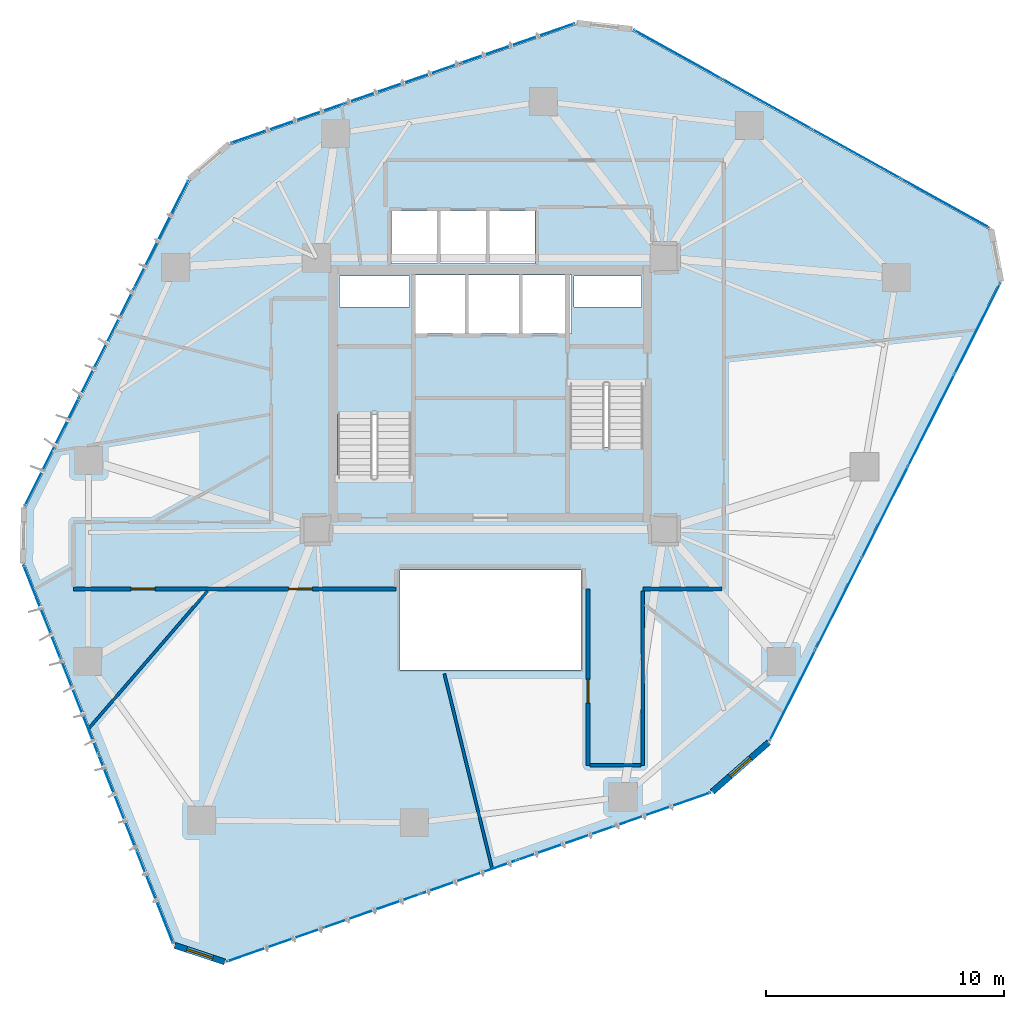
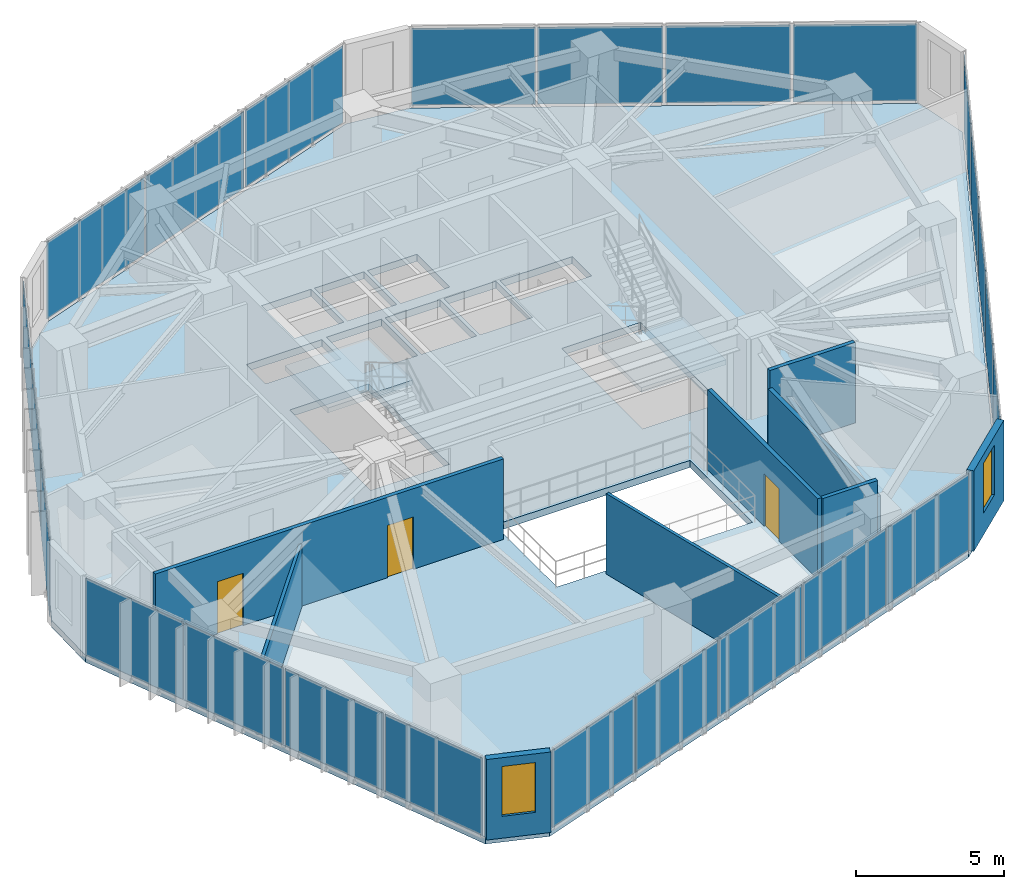
# One storey, part 15 of 21: 24 plates, 9 walls, 3 doors, 3 slabs, 2 windows, 5 openings, 8 elements without a shape of their own.
"""IFC4 building model written with IfcOpenShell, lengths in metres."""

from ifc_helpers import new_model, si_unit, direction, frame, frame_2d, origin, origin_2d, place, context, subcontext, project, spatial, polyline, rectangle, outline, extrude, source, transform, mapped, material, layer, layer_set, type_object, type_shapes, element, fill, aggregate, save


model = new_model("IFC4")

# Units and contexts
model_context = context("Model", 3, precision=1e-05, world=origin(), true_north=direction((0.0, 1.0)))
body_context = subcontext(model_context, "Body", "Model", "MODEL_VIEW")
ifc_project = project(units=[si_unit("LENGTHUNIT", "METRE"), si_unit("AREAUNIT", "SQUARE_METRE"), si_unit("VOLUMEUNIT", "CUBIC_METRE"), si_unit("PLANEANGLEUNIT", "RADIAN"), si_unit("MASSUNIT", "GRAM", prefix="KILO")], contexts=[model_context])

# Site, building, storey
site_placement = place(None, origin())
site = spatial("IfcSite", under=ifc_project, at=site_placement, CompositionType="ELEMENT")
building_placement = place(site_placement, origin())
building = spatial("IfcBuilding", under=site, at=building_placement, Name="Talar Marvaseh", CompositionType="ELEMENT")
storey_placement = place(building_placement, frame((0.0, 0.0, 147.0)))
storey = spatial("IfcBuildingStorey", under=building, at=storey_placement, Name="L38", CompositionType="ELEMENT", Elevation=147.0)

# Stair, slab
ifc_material_1 = material(Name="Concrete C40/50", Category="concrete")
stair_type = type_object("IfcStairType", Name="Reinforced Concrete Half-Turn Exit Stair Type B", PredefinedType="HALF_TURN_STAIR", material=ifc_material_1)
stair_1_placement = place(storey_placement, origin())
stair_1 = element("IfcStair", 1, at=stair_1_placement, inside=storey, type_object=stair_type, Name="L38 Tower West Core Exit Stair", PredefinedType="HALF_TURN_STAIR")
ifc_layer_1 = layer(ifc_material_1, 0.199951171875)
ifc_layer_set_1 = layer_set([ifc_layer_1], Name="Concrete C40/50")
slab_type_1 = type_object("IfcSlabType", Name="Reinforced Concrete Stair Half-Landing Slab 200", PredefinedType="LANDING", material=ifc_layer_set_1)
slab_1_placement = place(storey_placement, frame((0.0, 0.0, 1.60009765625)))
slab_1 = element("IfcSlab", 2, at=slab_1_placement, type_object=slab_type_1, Name="ST-1 landing 1", PredefinedType="LANDING", context=body_context, shape_type="SweptSolid", body=[
    extrude(outline(polyline([(22.780029296875, 30.330078125), (22.780029296875, 33.219970703125), (19.47998046875, 33.219970703125), (19.47998046875, 30.330078125), (22.780029296875, 30.330078125)])), origin(), (0.0, 0.0, 1.0), 0.199951171875),
])
aggregate(stair_1, [slab_1])

stair_2_placement = place(storey_placement, origin())
stair_2 = element("IfcStair", 3, at=stair_2_placement, inside=storey, type_object=stair_type, Name="L38 Tower East Core Exit Stair", PredefinedType="HALF_TURN_STAIR")
slab_2_placement = place(storey_placement, frame((0.0, 0.0, 1.60009765625)))
slab_2 = element("IfcSlab", 4, at=slab_2_placement, type_object=slab_type_1, Name="ST-2 landing 1", PredefinedType="LANDING", context=body_context, shape_type="SweptSolid", body=[
    extrude(outline(polyline([(29.219970703125, 28.969970703125), (29.219970703125, 26.080078125), (32.52001953125, 26.080078125), (32.52001953125, 28.969970703125), (29.219970703125, 28.969970703125)])), origin(), (0.0, 0.0, 1.0), 0.199951171875),
])
aggregate(stair_2, [slab_2])

# Slab
ifc_layer_2 = layer(ifc_material_1, 0.2900390625)
ifc_layer_set_2 = layer_set([ifc_layer_2], Name="Concrete C40/50")
slab_type_2 = type_object("IfcSlabType", Name="Structural Suspended Floor Slab 290", PredefinedType="FLOOR", material=ifc_layer_set_2)
slab_3_placement = place(storey_placement, frame((0.0, 0.0, -0.2900390625)))
element("IfcSlab", 5, at=slab_3_placement, inside=storey, type_object=slab_type_2, Name="L38 Tower Floor Slab", PredefinedType="FLOOR", context=body_context, shape_type="SweptSolid", body=[
    extrude(outline(polyline([(14.8701171875, 7.3974609375), (12.76611328125, 8.09423828125), (6.4384765625, 24.0791015625), (6.484375, 26.419189453125), (13.39501953125, 40.170654296875), (15.0830078125, 41.65087890625), (29.61865234375, 46.70751953125), (31.945068359375, 46.44775390625), (46.967041015625, 38.087890625), (47.38330078125, 35.91064453125), (37.650390625, 16.60791015625), (35.278076171875, 14.527587890625), (14.8701171875, 7.3974609375)]), holes=[polyline([(22.659912109375, 27.64990234375), (22.659912109375, 33.10009765625), (19.60009765625, 33.10009765625), (19.60009765625, 27.64990234375), (22.659912109375, 27.64990234375)]), polyline([(29.340087890625, 31.64990234375), (29.340087890625, 26.199951171875), (32.39990234375, 26.199951171875), (32.39990234375, 31.64990234375), (29.340087890625, 31.64990234375)]), polyline([(22.800048828125, 33.719970703125), (24.93994140625, 33.719970703125), (24.93994140625, 36.179931640625), (22.800048828125, 36.179931640625), (22.800048828125, 33.719970703125)]), polyline([(25.080078125, 33.719970703125), (27.219970703125, 33.719970703125), (27.219970703125, 36.179931640625), (25.080078125, 36.179931640625), (25.080078125, 33.719970703125)]), polyline([(27.360107421875, 33.719970703125), (29.39990234375, 33.719970703125), (29.39990234375, 36.179931640625), (27.360107421875, 36.179931640625), (27.360107421875, 33.719970703125)]), polyline([(21.840087890625, 36.659912109375), (23.760009765625, 36.659912109375), (23.760009765625, 38.8798828125), (21.840087890625, 38.8798828125), (21.840087890625, 36.659912109375)]), polyline([(23.89990234375, 36.659912109375), (25.820068359375, 36.659912109375), (25.820068359375, 38.8798828125), (23.89990234375, 38.8798828125), (23.89990234375, 36.659912109375)]), polyline([(25.9599609375, 36.659912109375), (27.8798828125, 36.659912109375), (27.8798828125, 38.8798828125), (25.9599609375, 38.8798828125), (25.9599609375, 36.659912109375)]), polyline([(19.659912109375, 34.840087890625), (22.60009765625, 34.840087890625), (22.60009765625, 36.139892578125), (19.659912109375, 36.139892578125), (19.659912109375, 34.840087890625)]), polyline([(29.52001953125, 34.840087890625), (32.340087890625, 34.840087890625), (32.340087890625, 36.139892578125), (29.52001953125, 36.139892578125), (29.52001953125, 34.840087890625)]), polyline([(22.199951171875, 19.60009765625), (29.800048828125, 19.60009765625), (29.800048828125, 23.800048828125), (22.199951171875, 23.800048828125), (22.199951171875, 19.60009765625)])]), origin(), (0.0, 0.0, 1.0), 0.2900390625),
])

# Curtain wall, plates
ifc_material_2 = material(Name="Architectural Aluminium", Category="aluminium")
ifc_layer_3 = layer(ifc_material_2, 0.199951171875)
ifc_layer_set_3 = layer_set([ifc_layer_3], Name="Architectural Aluminium")
curtain_wall_type = type_object("IfcCurtainWallType", Name="Unitised Acoustic Library Curtain Wall Z2", PredefinedType="NOTDEFINED", material=ifc_layer_set_3)
curtain_wall_1_placement = place(storey_placement, origin())
curtain_wall_1 = element("IfcCurtainWall", 6, at=curtain_wall_1_placement, inside=storey, type_object=curtain_wall_type, Name="L38 Unitised Acoustic Library Curtain Wall Z2", PredefinedType="NOTDEFINED")
ifc_material_3 = material(Name="Laminated Low-E Solar Glass", Category="glass")
ifc_layer_4 = layer(ifc_material_3, 0.028076171875)
ifc_layer_set_4 = layer_set([ifc_layer_4], Name="Laminated Low-E Solar Glass")
plate_type = type_object("IfcPlateType", Name="Double-Glazed Low-E Vision Curtain Panel 28", PredefinedType="CURTAIN_PANEL", material=ifc_layer_set_4)
shared_shape_1 = source(origin(), body_context, "Body", "SweptSolid", [
    extrude(rectangle(XDim=4.185302734375, YDim=0.028076171875, at=origin_2d()), origin(), (0.0, 0.0, 1.0), 3.159912109375),
])
plate_1_placement = place(storey_placement, frame((11.912353515625, 10.087646484375, 0.0751953125), z_axis=(0.0, 0.0, 1.0), x_axis=(-0.368059661202, 0.929802175625, 0.0)))
plate_1 = element("IfcPlate", 7, at=plate_1_placement, type_object=plate_type, Name="CW-Z2 panel 1.1", PredefinedType="CURTAIN_PANEL", context=body_context, shape_type="MappedRepresentation", body=[
    mapped(shared_shape_1, transform((0.0, 0.0, 0.0), x_axis=(1.0, 0.0, 0.0), y_axis=(0.0, 1.0, 0.0), z_axis=(0.0, 0.0, 1.0), scale=1.0)),
])
plate_2_placement = place(storey_placement, frame((7.180419921875, 22.041259765625, 0.0751953125), z_axis=(0.0, 0.0, 1.0), x_axis=(-0.368059661202, 0.929802175625, 0.0)))
plate_2 = element("IfcPlate", 8, at=plate_2_placement, type_object=plate_type, Name="CW-Z2 panel 4.1", PredefinedType="CURTAIN_PANEL", context=body_context, shape_type="MappedRepresentation", body=[
    mapped(shared_shape_1, transform((0.0, 0.0, 0.0), x_axis=(1.0, 0.0, 0.0), y_axis=(0.0, 1.0, 0.0), z_axis=(0.0, 0.0, 1.0), scale=1.0)),
])

curtain_wall_2_placement = place(storey_placement, origin())
curtain_wall_2 = element("IfcCurtainWall", 9, at=curtain_wall_2_placement, inside=storey, type_object=curtain_wall_type, Name="L38 Unitised Acoustic Library Curtain Wall Z2", PredefinedType="NOTDEFINED")
plate_3_placement = place(storey_placement, frame((33.868408203125, 45.446044921875, 0.0751953125), z_axis=(0.0, 0.0, 1.0), x_axis=(0.873804196641, -0.486277930747, 0.0)))
plate_3 = element("IfcPlate", 10, at=plate_3_placement, type_object=plate_type, Name="CW-Z2 panel 1.1", PredefinedType="CURTAIN_PANEL", context=body_context, shape_type="MappedRepresentation", body=[
    mapped(shared_shape_1, transform((0.0, 0.0, 0.0), x_axis=(1.0, 0.0, 0.0), y_axis=(0.0, 1.0, 0.0), z_axis=(0.0, 0.0, 1.0), scale=1.0)),
])
plate_4_placement = place(storey_placement, frame((45.10205078125, 39.1943359375, 0.0751953125), z_axis=(0.0, 0.0, 1.0), x_axis=(0.873804196641, -0.486277930747, 0.0)))
plate_4 = element("IfcPlate", 11, at=plate_4_placement, type_object=plate_type, Name="CW-Z2 panel 4.1", PredefinedType="CURTAIN_PANEL", context=body_context, shape_type="MappedRepresentation", body=[
    mapped(shared_shape_1, transform((0.0, 0.0, 0.0), x_axis=(1.0, 0.0, 0.0), y_axis=(0.0, 1.0, 0.0), z_axis=(0.0, 0.0, 1.0), scale=1.0)),
])

# Plate
shared_shape_2 = source(origin(), body_context, "Body", "SweptSolid", [
    extrude(rectangle(XDim=4.222900390625, YDim=0.028076171875, at=origin_2d()), origin(), (0.0, 0.0, 1.0), 3.159912109375),
])
plate_5_placement = place(storey_placement, frame((10.33740234375, 14.06640625, 0.0751953125), z_axis=(0.0, 0.0, 1.0), x_axis=(-0.368059661202, 0.929802175625, 0.0)))
plate_5 = element("IfcPlate", 12, at=plate_5_placement, type_object=plate_type, Name="CW-Z2 panel 2.1", PredefinedType="CURTAIN_PANEL", context=body_context, shape_type="MappedRepresentation", body=[
    mapped(shared_shape_2, transform((0.0, 0.0, 0.0), x_axis=(1.0, 0.0, 0.0), y_axis=(0.0, 1.0, 0.0), z_axis=(0.0, 0.0, 1.0), scale=1.0)),
])

plate_6_placement = place(storey_placement, frame((8.755615234375, 18.062744140625, 0.0751953125), z_axis=(0.0, 0.0, 1.0), x_axis=(-0.368059661202, 0.929802175625, 0.0)))
plate_6 = element("IfcPlate", 13, at=plate_6_placement, type_object=plate_type, Name="CW-Z2 panel 3.1", PredefinedType="CURTAIN_PANEL", context=body_context, shape_type="MappedRepresentation", body=[
    mapped(shared_shape_2, transform((0.0, 0.0, 0.0), x_axis=(1.0, 0.0, 0.0), y_axis=(0.0, 1.0, 0.0), z_axis=(0.0, 0.0, 1.0), scale=1.0)),
])

aggregate(curtain_wall_1, [plate_1, plate_5, plate_6, plate_2])

plate_7_placement = place(storey_placement, frame((37.607421875, 43.365234375, 0.0751953125), z_axis=(0.0, 0.0, 1.0), x_axis=(0.873804196641, -0.486277930747, 0.0)))
plate_7 = element("IfcPlate", 14, at=plate_7_placement, type_object=plate_type, Name="CW-Z2 panel 2.1", PredefinedType="CURTAIN_PANEL", context=body_context, shape_type="MappedRepresentation", body=[
    mapped(shared_shape_2, transform((0.0, 0.0, 0.0), x_axis=(1.0, 0.0, 0.0), y_axis=(0.0, 1.0, 0.0), z_axis=(0.0, 0.0, 1.0), scale=1.0)),
])

plate_8_placement = place(storey_placement, frame((41.363037109375, 41.275146484375, 0.0751953125), z_axis=(0.0, 0.0, 1.0), x_axis=(0.873804196641, -0.486277930747, 0.0)))
plate_8 = element("IfcPlate", 15, at=plate_8_placement, type_object=plate_type, Name="CW-Z2 panel 3.1", PredefinedType="CURTAIN_PANEL", context=body_context, shape_type="MappedRepresentation", body=[
    mapped(shared_shape_2, transform((0.0, 0.0, 0.0), x_axis=(1.0, 0.0, 0.0), y_axis=(0.0, 1.0, 0.0), z_axis=(0.0, 0.0, 1.0), scale=1.0)),
])

aggregate(curtain_wall_2, [plate_3, plate_7, plate_8, plate_4])

# Curtain wall, plates
curtain_wall_3_placement = place(storey_placement, origin())
curtain_wall_3 = element("IfcCurtainWall", 16, at=curtain_wall_3_placement, inside=storey, type_object=curtain_wall_type, Name="L38 Unitised Acoustic Library Curtain Wall Z2", PredefinedType="NOTDEFINED")
shared_shape_3 = source(origin(), body_context, "Body", "SweptSolid", [
    extrude(rectangle(XDim=5.017578125, YDim=0.028076171875, at=origin_2d()), origin(), (0.0, 0.0, 1.0), 3.159912109375),
])
plate_9_placement = place(storey_placement, frame((7.591064453125, 28.7548828125, 0.0751953125), z_axis=(0.0, 0.0, 1.0), x_axis=(0.449034614883, 0.893514361741, 0.0)))
plate_9 = element("IfcPlate", 17, at=plate_9_placement, type_object=plate_type, Name="CW-Z2 panel 1.1", PredefinedType="CURTAIN_PANEL", context=body_context, shape_type="MappedRepresentation", body=[
    mapped(shared_shape_3, transform((0.0, 0.0, 0.0), x_axis=(1.0, 0.0, 0.0), y_axis=(0.0, 1.0, 0.0), z_axis=(0.0, 0.0, 1.0), scale=1.0)),
])
plate_10_placement = place(storey_placement, frame((12.181396484375, 37.888916015625, 0.0751953125), z_axis=(0.0, 0.0, 1.0), x_axis=(0.449034614883, 0.893514361741, 0.0)))
plate_10 = element("IfcPlate", 18, at=plate_10_placement, type_object=plate_type, Name="CW-Z2 panel 3.1", PredefinedType="CURTAIN_PANEL", context=body_context, shape_type="MappedRepresentation", body=[
    mapped(shared_shape_3, transform((0.0, 0.0, 0.0), x_axis=(1.0, 0.0, 0.0), y_axis=(0.0, 1.0, 0.0), z_axis=(0.0, 0.0, 1.0), scale=1.0)),
])

curtain_wall_4_placement = place(storey_placement, origin())
curtain_wall_4 = element("IfcCurtainWall", 19, at=curtain_wall_4_placement, inside=storey, type_object=curtain_wall_type, Name="L38 Unitised Acoustic Library Curtain Wall Z2", PredefinedType="NOTDEFINED")
plate_11_placement = place(storey_placement, frame((17.503662109375, 42.556640625, 0.0751953125), z_axis=(0.0, 0.0, 1.0), x_axis=(0.944479877326, 0.328569264121, 0.0)))
plate_11 = element("IfcPlate", 20, at=plate_11_placement, type_object=plate_type, Name="CW-Z2 panel 1.1", PredefinedType="CURTAIN_PANEL", context=body_context, shape_type="MappedRepresentation", body=[
    mapped(shared_shape_3, transform((0.0, 0.0, 0.0), x_axis=(1.0, 0.0, 0.0), y_axis=(0.0, 1.0, 0.0), z_axis=(0.0, 0.0, 1.0), scale=1.0)),
])
plate_12_placement = place(storey_placement, frame((27.15869140625, 45.915283203125, 0.0751953125), z_axis=(0.0, 0.0, 1.0), x_axis=(0.944479877326, 0.328569264121, 0.0)))
plate_12 = element("IfcPlate", 21, at=plate_12_placement, type_object=plate_type, Name="CW-Z2 panel 3.1", PredefinedType="CURTAIN_PANEL", context=body_context, shape_type="MappedRepresentation", body=[
    mapped(shared_shape_3, transform((0.0, 0.0, 0.0), x_axis=(1.0, 0.0, 0.0), y_axis=(0.0, 1.0, 0.0), z_axis=(0.0, 0.0, 1.0), scale=1.0)),
])

# Plate
shared_shape_4 = source(origin(), body_context, "Body", "SweptSolid", [
    extrude(rectangle(XDim=5.054931640625, YDim=0.028076171875, at=origin_2d()), origin(), (0.0, 0.0, 1.0), 3.159912109375),
])
plate_13_placement = place(storey_placement, frame((9.88623046875, 33.32177734375, 0.0751953125), z_axis=(0.0, 0.0, 1.0), x_axis=(0.449034614883, 0.893514361741, 0.0)))
plate_13 = element("IfcPlate", 22, at=plate_13_placement, type_object=plate_type, Name="CW-Z2 panel 2.1", PredefinedType="CURTAIN_PANEL", context=body_context, shape_type="MappedRepresentation", body=[
    mapped(shared_shape_4, transform((0.0, 0.0, 0.0), x_axis=(1.0, 0.0, 0.0), y_axis=(0.0, 1.0, 0.0), z_axis=(0.0, 0.0, 1.0), scale=1.0)),
])

aggregate(curtain_wall_3, [plate_9, plate_13, plate_10])

plate_14_placement = place(storey_placement, frame((22.331298828125, 44.23583984375, 0.0751953125), z_axis=(0.0, 0.0, 1.0), x_axis=(0.944479877326, 0.328569264121, 0.0)))
plate_14 = element("IfcPlate", 23, at=plate_14_placement, type_object=plate_type, Name="CW-Z2 panel 2.1", PredefinedType="CURTAIN_PANEL", context=body_context, shape_type="MappedRepresentation", body=[
    mapped(shared_shape_4, transform((0.0, 0.0, 0.0), x_axis=(1.0, 0.0, 0.0), y_axis=(0.0, 1.0, 0.0), z_axis=(0.0, 0.0, 1.0), scale=1.0)),
])

aggregate(curtain_wall_4, [plate_11, plate_14, plate_12])

# Curtain wall, plates
curtain_wall_5_placement = place(storey_placement, origin())
curtain_wall_5 = element("IfcCurtainWall", 24, at=curtain_wall_5_placement, inside=storey, type_object=curtain_wall_type, Name="L38 Unitised Acoustic Library Curtain Wall Z2", PredefinedType="NOTDEFINED")
shared_shape_5 = source(origin(), body_context, "Body", "SweptSolid", [
    extrude(rectangle(XDim=4.2109375, YDim=0.028076171875, at=origin_2d()), origin(), (0.0, 0.0, 1.0), 3.159912109375),
])
plate_15_placement = place(storey_placement, frame((46.455322265625, 33.936767578125, 0.0751953125), z_axis=(0.0, 0.0, 1.0), x_axis=(-0.450236327916, -0.892909429351, 0.0)))
plate_15 = element("IfcPlate", 25, at=plate_15_placement, type_object=plate_type, Name="CW-Z2 panel 1.1", PredefinedType="CURTAIN_PANEL", context=body_context, shape_type="MappedRepresentation", body=[
    mapped(shared_shape_5, transform((0.0, 0.0, 0.0), x_axis=(1.0, 0.0, 0.0), y_axis=(0.0, 1.0, 0.0), z_axis=(0.0, 0.0, 1.0), scale=1.0)),
])
plate_16_placement = place(storey_placement, frame((38.685546875, 18.528076171875, 0.0751953125), z_axis=(0.0, 0.0, 1.0), x_axis=(-0.450236327916, -0.892909429351, 0.0)))
plate_16 = element("IfcPlate", 26, at=plate_16_placement, type_object=plate_type, Name="CW-Z2 panel 5.1", PredefinedType="CURTAIN_PANEL", context=body_context, shape_type="MappedRepresentation", body=[
    mapped(shared_shape_5, transform((0.0, 0.0, 0.0), x_axis=(1.0, 0.0, 0.0), y_axis=(0.0, 1.0, 0.0), z_axis=(0.0, 0.0, 1.0), scale=1.0)),
])

curtain_wall_6_placement = place(storey_placement, origin())
curtain_wall_6 = element("IfcCurtainWall", 27, at=curtain_wall_6_placement, inside=storey, type_object=curtain_wall_type, Name="L38 Unitised Acoustic Library Curtain Wall Z2", PredefinedType="NOTDEFINED")
plate_17_placement = place(storey_placement, frame((33.239501953125, 13.751953125, 0.0751953125), z_axis=(0.0, 0.0, 1.0), x_axis=(-0.94403800642, -0.329836690552, 0.0)))
plate_17 = element("IfcPlate", 28, at=plate_17_placement, type_object=plate_type, Name="CW-Z2 panel 1.1", PredefinedType="CURTAIN_PANEL", context=body_context, shape_type="MappedRepresentation", body=[
    mapped(shared_shape_5, transform((0.0, 0.0, 0.0), x_axis=(1.0, 0.0, 0.0), y_axis=(0.0, 1.0, 0.0), z_axis=(0.0, 0.0, 1.0), scale=1.0)),
])
plate_18_placement = place(storey_placement, frame((16.948486328125, 8.06005859375, 0.0751953125), z_axis=(0.0, 0.0, 1.0), x_axis=(-0.94403800642, -0.329836690552, 0.0)))
plate_18 = element("IfcPlate", 29, at=plate_18_placement, type_object=plate_type, Name="CW-Z2 panel 5.1", PredefinedType="CURTAIN_PANEL", context=body_context, shape_type="MappedRepresentation", body=[
    mapped(shared_shape_5, transform((0.0, 0.0, 0.0), x_axis=(1.0, 0.0, 0.0), y_axis=(0.0, 1.0, 0.0), z_axis=(0.0, 0.0, 1.0), scale=1.0)),
])

# Plate
shared_shape_6 = source(origin(), body_context, "Body", "SweptSolid", [
    extrude(rectangle(XDim=4.24853515625, YDim=0.028076171875, at=origin_2d()), origin(), (0.0, 0.0, 1.0), 3.159912109375),
])
type_shapes(plate_type, [shared_shape_1, shared_shape_2, shared_shape_3, shared_shape_4, shared_shape_5, shared_shape_6])
plate_19_placement = place(storey_placement, frame((44.51708984375, 30.0927734375, 0.0751953125), z_axis=(0.0, 0.0, 1.0), x_axis=(-0.450236327916, -0.892909429351, 0.0)))
plate_19 = element("IfcPlate", 30, at=plate_19_placement, type_object=plate_type, Name="CW-Z2 panel 2.1", PredefinedType="CURTAIN_PANEL", context=body_context, shape_type="MappedRepresentation", body=[
    mapped(shared_shape_6, transform((0.0, 0.0, 0.0), x_axis=(1.0, 0.0, 0.0), y_axis=(0.0, 1.0, 0.0), z_axis=(0.0, 0.0, 1.0), scale=1.0)),
])

plate_20_placement = place(storey_placement, frame((42.570556640625, 26.232421875, 0.0751953125), z_axis=(0.0, 0.0, 1.0), x_axis=(-0.450236327916, -0.892909429351, 0.0)))
plate_20 = element("IfcPlate", 31, at=plate_20_placement, type_object=plate_type, Name="CW-Z2 panel 3.1", PredefinedType="CURTAIN_PANEL", context=body_context, shape_type="MappedRepresentation", body=[
    mapped(shared_shape_6, transform((0.0, 0.0, 0.0), x_axis=(1.0, 0.0, 0.0), y_axis=(0.0, 1.0, 0.0), z_axis=(0.0, 0.0, 1.0), scale=1.0)),
])

plate_21_placement = place(storey_placement, frame((40.623779296875, 22.371826171875, 0.0751953125), z_axis=(0.0, 0.0, 1.0), x_axis=(-0.450236327916, -0.892909429351, 0.0)))
plate_21 = element("IfcPlate", 32, at=plate_21_placement, type_object=plate_type, Name="CW-Z2 panel 4.1", PredefinedType="CURTAIN_PANEL", context=body_context, shape_type="MappedRepresentation", body=[
    mapped(shared_shape_6, transform((0.0, 0.0, 0.0), x_axis=(1.0, 0.0, 0.0), y_axis=(0.0, 1.0, 0.0), z_axis=(0.0, 0.0, 1.0), scale=1.0)),
])

aggregate(curtain_wall_5, [plate_15, plate_19, plate_20, plate_21, plate_16])

plate_22_placement = place(storey_placement, frame((29.175537109375, 12.33203125, 0.0751953125), z_axis=(0.0, 0.0, 1.0), x_axis=(-0.94403800642, -0.329836690552, 0.0)))
plate_22 = element("IfcPlate", 33, at=plate_22_placement, type_object=plate_type, Name="CW-Z2 panel 2.1", PredefinedType="CURTAIN_PANEL", context=body_context, shape_type="MappedRepresentation", body=[
    mapped(shared_shape_6, transform((0.0, 0.0, 0.0), x_axis=(1.0, 0.0, 0.0), y_axis=(0.0, 1.0, 0.0), z_axis=(0.0, 0.0, 1.0), scale=1.0)),
])

plate_23_placement = place(storey_placement, frame((25.093994140625, 10.906005859375, 0.0751953125), z_axis=(0.0, 0.0, 1.0), x_axis=(-0.94403800642, -0.329836690552, 0.0)))
plate_23 = element("IfcPlate", 34, at=plate_23_placement, type_object=plate_type, Name="CW-Z2 panel 3.1", PredefinedType="CURTAIN_PANEL", context=body_context, shape_type="MappedRepresentation", body=[
    mapped(shared_shape_6, transform((0.0, 0.0, 0.0), x_axis=(1.0, 0.0, 0.0), y_axis=(0.0, 1.0, 0.0), z_axis=(0.0, 0.0, 1.0), scale=1.0)),
])

plate_24_placement = place(storey_placement, frame((21.012451171875, 9.47998046875, 0.0751953125), z_axis=(0.0, 0.0, 1.0), x_axis=(-0.94403800642, -0.329836690552, 0.0)))
plate_24 = element("IfcPlate", 35, at=plate_24_placement, type_object=plate_type, Name="CW-Z2 panel 4.1", PredefinedType="CURTAIN_PANEL", context=body_context, shape_type="MappedRepresentation", body=[
    mapped(shared_shape_6, transform((0.0, 0.0, 0.0), x_axis=(1.0, 0.0, 0.0), y_axis=(0.0, 1.0, 0.0), z_axis=(0.0, 0.0, 1.0), scale=1.0)),
])

aggregate(curtain_wall_6, [plate_17, plate_22, plate_23, plate_24, plate_18])

# Wall, opening, window
ifc_material_4 = material(Name="Precast concrete C45/55", Category="concrete")
ifc_layer_5 = layer(ifc_material_4, 0.2548828125)
ifc_layer_set_5 = layer_set([ifc_layer_5], Name="Precast concrete C45/55")
wall_type_1 = type_object("IfcWallType", Name="Chamfered Hexagonal Corner Pier Wall Z2 255", PredefinedType="SOLIDWALL", material=ifc_layer_set_5)
wall_1_placement = place(storey_placement, frame((14.851318359375, 7.34033203125, 0.0), z_axis=(0.0, 0.0, 1.0), x_axis=(-0.949276363494, 0.314442976885, 0.0)))
wall_1 = element("IfcWall", 36, at=wall_1_placement, inside=storey, type_object=wall_type_1, Name="L38 Chamfered Corner Limestone Pier 1", PredefinedType="SOLIDWALL", context=body_context, shape_type="SweptSolid", body=[
    extrude(rectangle(XDim=2.216796875, YDim=0.2548828125, at=frame_2d((1.1083984375, 0.0))), origin(), (0.0, 0.0, 1.0), 3.31005859375),
])
opening_1_placement = place(wall_1_placement, frame((0.532958984375, 0.0, 0.89990234375)))
opening_1 = element("IfcOpeningElement", 37, at=opening_1_placement, cuts=wall_1, Name="Opening WN-CHM11", PredefinedType="OPENING", context=body_context, shape_type="SweptSolid", body=[
    extrude(rectangle(XDim=1.14990234375, YDim=2.050048828125, at=frame_2d((0.574951171875, 1.02490234375))), frame((0.0, 0.137451171875, 0.0), z_axis=(0.0, -1.0, 0.0), x_axis=(1.0, 0.0, 0.0)), (0.0, 0.0, 1.0), 0.27490234375),
])
window_type = type_object("IfcWindowType", Name="Zone 2 Chamfered Corner Slot Window 1150x2050", PartitioningType="SINGLE_PANEL", PredefinedType="WINDOW", material=ifc_material_3)
shared_shape_7 = source(origin(), body_context, "Body", "SweptSolid", [
    extrude(rectangle(XDim=1.14990234375, YDim=2.050048828125, at=frame_2d((0.574951171875, 1.02490234375))), frame((0.0, 0.030029296875, 0.0), z_axis=(0.0, -1.0, 0.0), x_axis=(1.0, 0.0, 0.0)), (0.0, 0.0, 1.0), 0.06005859375),
])
type_shapes(window_type, [shared_shape_7])
window_1_placement = place(opening_1_placement, origin())
window_1 = element("IfcWindow", 38, at=window_1_placement, inside=storey, type_object=window_type, Name="L38 Chamfered Corner Slot Window", OverallHeight=2.050048828125, OverallWidth=1.14990234375, PartitioningType="SINGLE_PANEL", PredefinedType="WINDOW", context=body_context, shape_type="MappedRepresentation", body=[
    mapped(shared_shape_7, transform((0.0, 0.0, 0.0), x_axis=(1.0, 0.0, 0.0), y_axis=(0.0, 1.0, 0.0), z_axis=(0.0, 0.0, 1.0), scale=1.0)),
])
fill(opening_1, window_1)

wall_2_placement = place(storey_placement, frame((37.68994140625, 16.56298828125, 0.0), z_axis=(0.0, 0.0, 1.0), x_axis=(-0.751862065264, -0.659320434096, 0.0)))
wall_2 = element("IfcWall", 39, at=wall_2_placement, inside=storey, type_object=wall_type_1, Name="L38 Chamfered Corner Limestone Pier 6", PredefinedType="SOLIDWALL", context=body_context, shape_type="SweptSolid", body=[
    extrude(rectangle(XDim=3.1552734375, YDim=0.2548828125, at=frame_2d((1.57763671875, 0.0))), origin(), (0.0, 0.0, 1.0), 3.31005859375),
])
opening_2_placement = place(wall_2_placement, frame((1.0029296875, 0.0, 0.89990234375)))
opening_2 = element("IfcOpeningElement", 40, at=opening_2_placement, cuts=wall_2, Name="Opening WN-CHM11", PredefinedType="OPENING", context=body_context, shape_type="SweptSolid", body=[
    extrude(rectangle(XDim=1.14990234375, YDim=2.050048828125, at=frame_2d((0.574951171875, 1.02490234375))), frame((0.0, 0.137451171875, 0.0), z_axis=(0.0, -1.0, 0.0), x_axis=(1.0, 0.0, 0.0)), (0.0, 0.0, 1.0), 0.27490234375),
])
window_2_placement = place(opening_2_placement, origin())
window_2 = element("IfcWindow", 41, at=window_2_placement, inside=storey, type_object=window_type, Name="L38 Chamfered Corner Slot Window", OverallHeight=2.050048828125, OverallWidth=1.14990234375, PartitioningType="SINGLE_PANEL", PredefinedType="WINDOW", context=body_context, shape_type="MappedRepresentation", body=[
    mapped(shared_shape_7, transform((0.0, 0.0, 0.0), x_axis=(1.0, 0.0, 0.0), y_axis=(0.0, 1.0, 0.0), z_axis=(0.0, 0.0, 1.0), scale=1.0)),
])
fill(opening_2, window_2)

# Wall, openings, doors
ifc_material_5 = material(Name="Gypsum Board Partition Assembly")
ifc_layer_6 = layer(ifc_material_5, 0.155029296875)
ifc_layer_set_6 = layer_set([ifc_layer_6], Name="Gypsum Board Partition Assembly")
wall_type_2 = type_object("IfcWallType", Name="Corridor Fire-Rated Acoustic Partition 155", PredefinedType="PARTITIONING", material=ifc_layer_set_6)
wall_3_placement = place(storey_placement, frame((22.0400390625, 23.0, 0.0), z_axis=(0.0, 0.0, 1.0), x_axis=(-1.0, 0.0, 0.0)))
wall_3 = element("IfcWall", 42, at=wall_3_placement, inside=storey, type_object=wall_type_2, Name="L38 Interior Partition Wall", PredefinedType="PARTITIONING", context=body_context, shape_type="SweptSolid", body=[
    extrude(rectangle(XDim=13.5400390625, YDim=0.155029296875, at=frame_2d((6.77001953125, 0.0))), origin(), (0.0, 0.0, 1.0), 3.31005859375),
])
opening_3_placement = place(wall_3_placement, frame((10.119384765625, 0.0, 0.0)))
opening_3 = element("IfcOpeningElement", 43, at=opening_3_placement, cuts=wall_3, Name="Opening DR-RM100", PredefinedType="OPENING", context=body_context, shape_type="SweptSolid", body=[
    extrude(rectangle(XDim=1.0, YDim=2.14990234375, at=frame_2d((0.5, 1.074951171875))), frame((0.0, 0.08740234375, 0.0), z_axis=(0.0, -1.0, 0.0), x_axis=(1.0, 0.0, 0.0)), (0.0, 0.0, 1.0), 0.175048828125),
])
opening_4_placement = place(wall_3_placement, frame((3.511962890625, 0.0, 0.0)))
opening_4 = element("IfcOpeningElement", 44, at=opening_4_placement, cuts=wall_3, Name="Opening DR-RM100", PredefinedType="OPENING", context=body_context, shape_type="SweptSolid", body=[
    extrude(rectangle(XDim=1.0, YDim=2.14990234375, at=frame_2d((0.5, 1.074951171875))), frame((0.0, 0.08740234375, 0.0), z_axis=(0.0, -1.0, 0.0), x_axis=(1.0, 0.0, 0.0)), (0.0, 0.0, 1.0), 0.175048828125),
])
ifc_material_6 = material(Name="Acoustic Engineered Oak Timber", Category="wood")
door_type = type_object("IfcDoorType", Name="Corridor Fire-Rated Gallery Door 1000x2150", OperationType="NOTDEFINED", PredefinedType="DOOR", material=ifc_material_6)
shared_shape_8 = source(origin(), body_context, "Body", "SweptSolid", [
    extrude(rectangle(XDim=1.0, YDim=2.14990234375, at=frame_2d((0.5, 1.074951171875))), frame((0.0, 0.02490234375, 0.0), z_axis=(0.0, -1.0, 0.0), x_axis=(1.0, 0.0, 0.0)), (0.0, 0.0, 1.0), 0.050048828125),
])
type_shapes(door_type, [shared_shape_8])
door_1_placement = place(opening_3_placement, origin())
door_1 = element("IfcDoor", 45, at=door_1_placement, inside=storey, type_object=door_type, Name="L38 Curatorial Staff Control Room Door", OperationType="SINGLE_SWING_LEFT", OverallHeight=2.14990234375, OverallWidth=1.0, PredefinedType="DOOR", context=body_context, shape_type="MappedRepresentation", body=[
    mapped(shared_shape_8, transform((0.0, 0.0, 0.0), x_axis=(1.0, 0.0, 0.0), y_axis=(0.0, 1.0, 0.0), z_axis=(0.0, 0.0, 1.0), scale=1.0)),
])
fill(opening_3, door_1)
door_2_placement = place(opening_4_placement, origin())
door_2 = element("IfcDoor", 46, at=door_2_placement, inside=storey, type_object=door_type, Name="L38 Archival Research Office Door", OperationType="SINGLE_SWING_RIGHT", OverallHeight=2.14990234375, OverallWidth=1.0, PredefinedType="DOOR", context=body_context, shape_type="MappedRepresentation", body=[
    mapped(shared_shape_8, transform((0.0, 0.0, 0.0), x_axis=(1.0, 0.0, 0.0), y_axis=(0.0, 1.0, 0.0), z_axis=(0.0, 0.0, 1.0), scale=1.0)),
])
fill(opening_4, door_2)

# Wall, opening, door
wall_4_placement = place(storey_placement, frame((30.10009765625, 15.60009765625, 0.0), z_axis=(0.0, 0.0, 1.0), x_axis=(0.0, 1.0, 0.0)))
wall_4 = element("IfcWall", 47, at=wall_4_placement, inside=storey, type_object=wall_type_2, Name="L38 Interior Partition Wall", PredefinedType="PARTITIONING", context=body_context, shape_type="SweptSolid", body=[
    extrude(rectangle(XDim=7.39990234375, YDim=0.155029296875, at=frame_2d((3.699951171875, 0.0))), origin(), (0.0, 0.0, 1.0), 3.31005859375),
])
opening_5_placement = place(wall_4_placement, frame((2.60791015625, 0.0, 0.0)))
opening_5 = element("IfcOpeningElement", 48, at=opening_5_placement, cuts=wall_4, Name="Opening DR-RM100", PredefinedType="OPENING", context=body_context, shape_type="SweptSolid", body=[
    extrude(rectangle(XDim=1.0, YDim=2.14990234375, at=frame_2d((0.5, 1.074951171875))), frame((0.0, 0.08740234375, 0.0), z_axis=(0.0, -1.0, 0.0), x_axis=(1.0, 0.0, 0.0)), (0.0, 0.0, 1.0), 0.175048828125),
])
door_3_placement = place(opening_5_placement, origin())
door_3 = element("IfcDoor", 49, at=door_3_placement, inside=storey, type_object=door_type, Name="L38 Registrar Mail and Post Room Door", OperationType="SINGLE_SWING_LEFT", OverallHeight=2.14990234375, OverallWidth=1.0, PredefinedType="DOOR", context=body_context, shape_type="MappedRepresentation", body=[
    mapped(shared_shape_8, transform((0.0, 0.0, 0.0), x_axis=(1.0, 0.0, 0.0), y_axis=(0.0, 1.0, 0.0), z_axis=(0.0, 0.0, 1.0), scale=1.0)),
])
fill(opening_5, door_3)

# Walls
wall_5_placement = place(storey_placement, frame((35.716552734375, 23.0, 0.0), z_axis=(0.0, 0.0, 1.0), x_axis=(-1.0, 0.0, 0.0)))
element("IfcWall", 50, at=wall_5_placement, inside=storey, type_object=wall_type_2, Name="L38 Interior Partition Wall", PredefinedType="PARTITIONING", context=body_context, shape_type="SweptSolid", body=[
    extrude(rectangle(XDim=3.316650390625, YDim=0.155029296875, at=frame_2d((1.658203125, 0.0))), origin(), (0.0, 0.0, 1.0), 3.31005859375),
])
wall_6_placement = place(storey_placement, frame((32.39990234375, 22.91650390625, 0.0), z_axis=(0.0, 0.0, 1.0), x_axis=(0.0, -1.0, 0.0)))
element("IfcWall", 51, at=wall_6_placement, inside=storey, type_object=wall_type_2, Name="L38 Interior Partition Wall", PredefinedType="PARTITIONING", context=body_context, shape_type="SweptSolid", body=[
    extrude(rectangle(XDim=7.31640625, YDim=0.155029296875, at=frame_2d((3.658203125, 0.0))), origin(), (0.0, 0.0, 1.0), 2.590087890625),
])
wall_7_placement = place(storey_placement, frame((32.31640625, 15.60009765625, 0.0), z_axis=(0.0, 0.0, 1.0), x_axis=(-1.0, 0.0, 0.0)))
element("IfcWall", 52, at=wall_7_placement, inside=storey, type_object=wall_type_2, Name="L38 Interior Partition Wall", PredefinedType="PARTITIONING", context=body_context, shape_type="SweptSolid", body=[
    extrude(rectangle(XDim=2.1328125, YDim=0.155029296875, at=frame_2d((1.06640625, 0.0))), origin(), (0.0, 0.0, 1.0), 3.31005859375),
])
ifc_layer_7 = layer(ifc_material_5, 0.1201171875)
ifc_layer_set_7 = layer_set([ifc_layer_7], Name="Gypsum Board Partition Assembly")
wall_type_3 = type_object("IfcWallType", Name="Demountable Studio Room Partition 120", PredefinedType="PARTITIONING", material=ifc_layer_set_7)
wall_8_placement = place(storey_placement, frame((14.127685546875, 22.91650390625, 0.0), z_axis=(0.0, 0.0, 1.0), x_axis=(-0.654181641067, -0.756337477909, 0.0)))
element("IfcWall", 53, at=wall_8_placement, inside=storey, type_object=wall_type_3, Name="L38 Interior Partition Wall", PredefinedType="PARTITIONING", context=body_context, shape_type="SweptSolid", body=[
    extrude(rectangle(XDim=7.623779296875, YDim=0.1201171875, at=frame_2d((3.81201171875, 0.0))), origin(), (0.0, 0.0, 1.0), 2.590087890625),
])
wall_9_placement = place(storey_placement, frame((24.070068359375, 19.43994140625, 0.0), z_axis=(0.0, 0.0, 1.0), x_axis=(0.238228762945, -0.971209069411, 0.0)))
element("IfcWall", 54, at=wall_9_placement, inside=storey, type_object=wall_type_3, Name="L38 Interior Partition Wall", PredefinedType="PARTITIONING", context=body_context, shape_type="SweptSolid", body=[
    extrude(rectangle(XDim=8.407470703125, YDim=0.1201171875, at=frame_2d((4.20361328125, 0.0))), origin(), (0.0, 0.0, 1.0), 3.31005859375),
])

save(model, "model.ifc")
